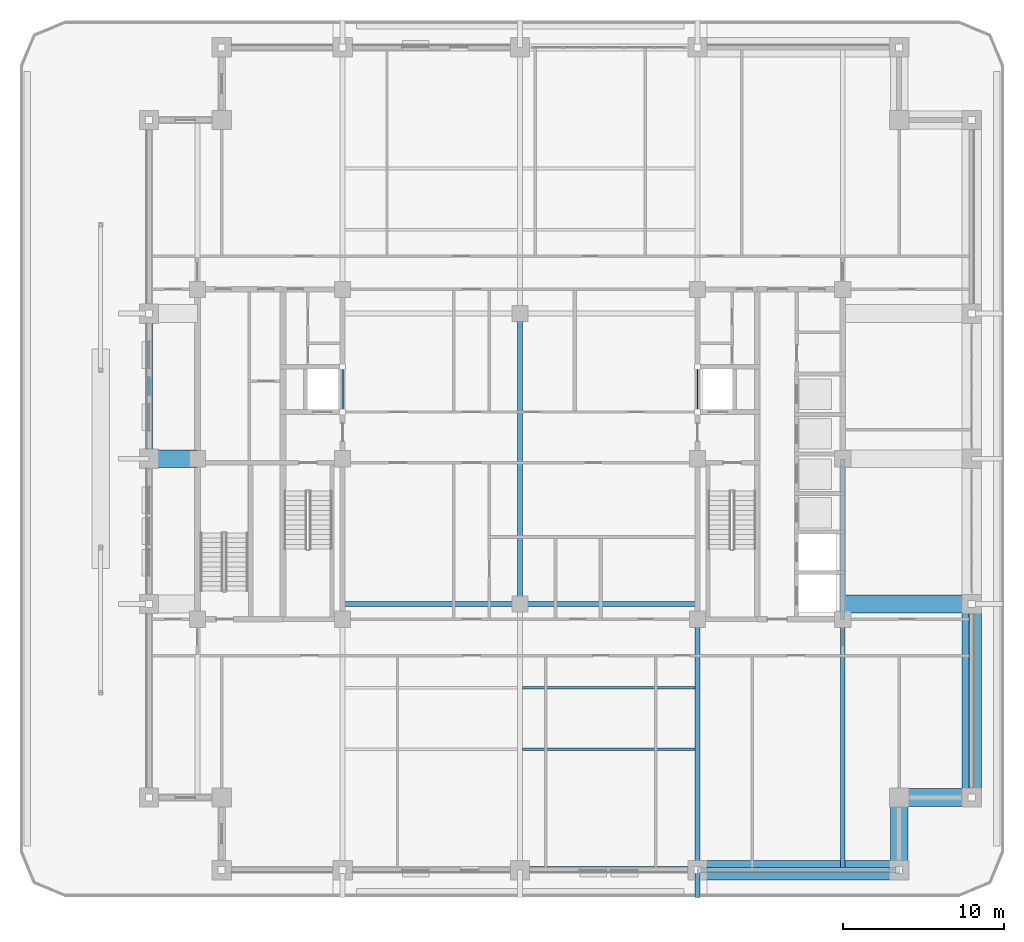
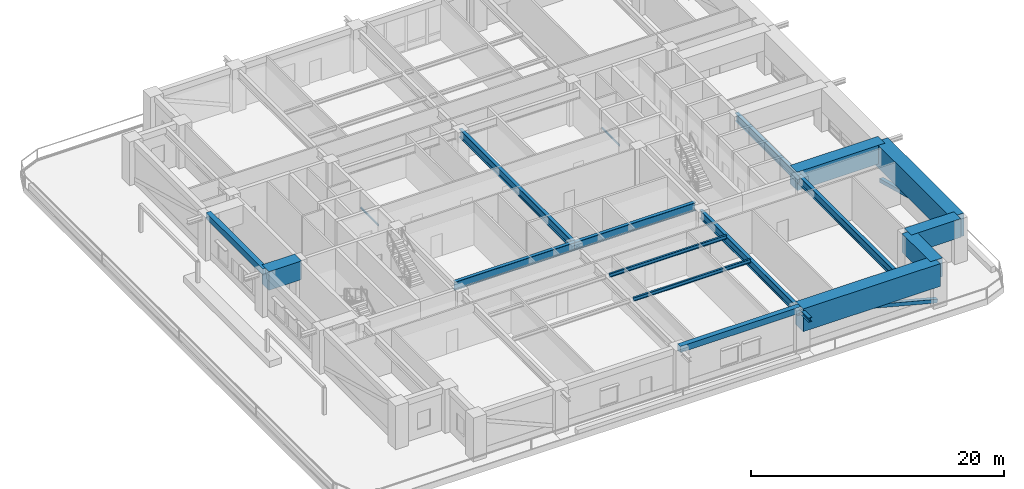
# One storey, part 3 of 21: 19 beams, 2 members.
"""IFC4 building model written with IfcOpenShell, lengths in metres."""

from ifc_helpers import new_model, si_unit, direction, frame, origin, origin_2d, place, context, subcontext, project, spatial, rectangle, hollow_rectangle, i_section, extrude, material, material_profile, profile_set, type_object, element, save


model = new_model("IFC4")

# Units and contexts
model_context = context("Model", 3, precision=1e-05, world=origin(), true_north=direction((0.0, 1.0)))
body_context = subcontext(model_context, "Body", "Model", "MODEL_VIEW")
ifc_project = project(units=[si_unit("LENGTHUNIT", "METRE"), si_unit("AREAUNIT", "SQUARE_METRE"), si_unit("VOLUMEUNIT", "CUBIC_METRE"), si_unit("PLANEANGLEUNIT", "RADIAN"), si_unit("MASSUNIT", "GRAM", prefix="KILO")], contexts=[model_context])

# Site, building, storey
site_placement = place(None, origin())
site = spatial("IfcSite", under=ifc_project, at=site_placement, CompositionType="ELEMENT")
building_placement = place(site_placement, origin())
building = spatial("IfcBuilding", under=site, at=building_placement, Name="Zulmaris Gate Convention Tower", CompositionType="ELEMENT")
storey_placement = place(building_placement, frame((0.0, 0.0, 86.93994140625)))
storey = spatial("IfcBuildingStorey", under=building, at=storey_placement, Name="L21", CompositionType="ELEMENT", Elevation=86.93994140625)

# Beams
ifc_material_1 = material(Name="Steel S355", Category="steel")
ifc_material_profile_1 = material_profile(ifc_material_1, i_section(OverallWidth=0.300048828125, OverallDepth=0.39990234375, WebThickness=0.013427734375, FlangeThickness=0.02392578125, FilletRadius=0.027099609375, at=origin_2d()), Name="HEB 400")
ifc_profile_set_1 = profile_set([ifc_material_profile_1], Name="Steel S355")
beam_type_1 = type_object("IfcBeamType", Name="BM-HEB400", PredefinedType="BEAM", material=ifc_profile_set_1)
beam_1_placement = place(storey_placement, frame((11.0, -27.199951171875, 3.79296875), z_axis=(0.0, 1.0, 0.0), x_axis=(-1.0, 0.0, 0.0)))
element("IfcBeam", 1, at=beam_1_placement, inside=storey, type_object=beam_type_1, Name="L21 Beam TBRK-L21-S-+11", PredefinedType="BEAM", context=body_context, shape_type="SweptSolid", body=[
    extrude(i_section(OverallWidth=0.300048828125, OverallDepth=0.39990234375, WebThickness=0.013427734375, FlangeThickness=0.02392578125, FilletRadius=0.027099609375, at=origin_2d()), origin(), (0.0, 0.0, 1.0), 1.699951171875),
])
ifc_material_profile_2 = material_profile(ifc_material_1, i_section(OverallWidth=0.300048828125, OverallDepth=0.800048828125, WebThickness=0.017578125, FlangeThickness=0.032958984375, FilletRadius=0.030029296875, at=origin_2d()), Name="HEB 800")
ifc_profile_set_2 = profile_set([ifc_material_profile_2], Name="Steel S355")
beam_type_2 = type_object("IfcBeamType", Name="BM-HEB800", PredefinedType="BEAM", material=ifc_profile_set_2)
for number, where, z_axis, x_axis, name in (
    (2, (-11.0, -9.0, 3.76806640625), (1.0, 0.0, 0.0), (0.0, 1.0, 0.0), "L21 Beam BM-L21-G01"),
    (3, (0.0, -9.0, 3.76806640625), (1.0, 0.0, 0.0), (0.0, 1.0, 0.0), "L21 Beam BM-L21-G02"),
):
    element("IfcBeam", number, at=place(storey_placement, frame(where, z_axis=z_axis, x_axis=x_axis)), inside=storey, type_object=beam_type_2, Name=name, PredefinedType="BEAM", context=body_context, shape_type="SweptSolid", body=[
        extrude(i_section(OverallWidth=0.300048828125, OverallDepth=0.800048828125, WebThickness=0.017578125, FlangeThickness=0.032958984375, FilletRadius=0.030029296875, at=origin_2d()), origin(), (0.0, 0.0, 1.0), 11.0),
    ])
beam_2_placement = place(storey_placement, frame((0.0, -9.0, 3.76806640625), z_axis=(0.0, 1.0, 0.0), x_axis=(-1.0, 0.0, 0.0)))
element("IfcBeam", 4, at=beam_2_placement, inside=storey, type_object=beam_type_2, Name="L21 Beam BM-L21-G06", PredefinedType="BEAM", context=body_context, shape_type="SweptSolid", body=[
    extrude(i_section(OverallWidth=0.300048828125, OverallDepth=0.800048828125, WebThickness=0.017578125, FlangeThickness=0.032958984375, FilletRadius=0.030029296875, at=origin_2d()), origin(), (0.0, 0.0, 1.0), 18.0),
])
for number, where, z_axis, x_axis, name in (
    (5, (11.0, -25.5, 3.593017578125), (0.0, 1.0, 0.0), (-1.0, 0.0, 0.0), "L21 Beam BM-L21-G10"),
    (6, (20.0, -25.5, 3.76806640625), (0.0, 1.0, 0.0), (-1.0, 0.0, 0.0), "L21 Beam BM-L21-G14"),
):
    element("IfcBeam", number, at=place(storey_placement, frame(where, z_axis=z_axis, x_axis=x_axis)), inside=storey, type_object=beam_type_2, Name=name, PredefinedType="BEAM", context=body_context, shape_type="SweptSolid", body=[
        extrude(i_section(OverallWidth=0.300048828125, OverallDepth=0.800048828125, WebThickness=0.017578125, FlangeThickness=0.032958984375, FilletRadius=0.030029296875, at=origin_2d()), origin(), (0.0, 0.0, 1.0), 15.550048828125),
    ])
beam_3_placement = place(storey_placement, frame((20.0, -9.949951171875, 3.76806640625), z_axis=(0.0, 1.0, 0.0), x_axis=(-1.0, 0.0, 0.0)))
element("IfcBeam", 7, at=beam_3_placement, inside=storey, type_object=beam_type_2, Name="L21 Beam BM-L21-G28", PredefinedType="BEAM", context=body_context, shape_type="SweptSolid", body=[
    extrude(i_section(OverallWidth=0.300048828125, OverallDepth=0.800048828125, WebThickness=0.017578125, FlangeThickness=0.032958984375, FilletRadius=0.030029296875, at=origin_2d()), origin(), (0.0, 0.0, 1.0), 9.949951171875),
])
ifc_material_2 = material(Name="Precast concrete C50/60", Category="concrete")
ifc_material_profile_3 = material_profile(ifc_material_2, rectangle(XDim=0.449951171875, YDim=0.60009765625, at=origin_2d()), Name="RC SPANDREL 450x600")
ifc_profile_set_3 = profile_set([ifc_material_profile_3], Name="Precast concrete C50/60")
beam_type_3 = type_object("IfcBeamType", Name="BM-SP450x600", PredefinedType="SPANDREL", material=ifc_profile_set_3)
beam_4_placement = place(storey_placement, frame((0.0, -25.5, 3.869873046875), z_axis=(1.0, 0.0, 0.0), x_axis=(0.0, 1.0, 0.0)))
element("IfcBeam", 8, at=beam_4_placement, inside=storey, type_object=beam_type_3, Name="L21 Spandrel SP-L21-03", PredefinedType="SPANDREL", context=body_context, shape_type="SweptSolid", body=[
    extrude(rectangle(XDim=0.449951171875, YDim=0.60009765625, at=origin_2d()), origin(), (0.0, 0.0, 1.0), 11.0),
])
beam_5_placement = place(storey_placement, frame((-23.0, 9.0, 3.869873046875), z_axis=(0.0, -1.0, 0.0), x_axis=(1.0, 0.0, 0.0)))
element("IfcBeam", 9, at=beam_5_placement, inside=storey, type_object=beam_type_3, Name="L21 Spandrel SP-L21-20", PredefinedType="SPANDREL", context=body_context, shape_type="SweptSolid", body=[
    extrude(rectangle(XDim=0.449951171875, YDim=0.60009765625, at=origin_2d()), origin(), (0.0, 0.0, 1.0), 9.0),
])
ifc_material_3 = material(Name="Concrete C80/95", Category="concrete")
ifc_material_profile_4 = material_profile(ifc_material_3, rectangle(XDim=1.10009765625, YDim=1.800048828125, at=origin_2d()), Name="RC TRANSFER 1100x1800")
ifc_profile_set_4 = profile_set([ifc_material_profile_4], Name="Concrete C80/95")
beam_type_4 = type_object("IfcBeamType", Name="BM-XFER1800", PredefinedType="BEAM", material=ifc_profile_set_4)
for number, where, z_axis, x_axis, name in (
    (10, (23.5, -25.5, 3.27001953125), (0.0, 1.0, 0.0), (-1.0, 0.0, 0.0), "L21 Beam SP-L21-05"),
    (11, (23.5, -21.0, 3.27001953125), (1.0, 0.0, 0.0), (0.0, 1.0, 0.0), "L21 Beam SP-L21-06"),
):
    element("IfcBeam", number, at=place(storey_placement, frame(where, z_axis=z_axis, x_axis=x_axis)), inside=storey, type_object=beam_type_4, Name=name, PredefinedType="BEAM", context=body_context, shape_type="SweptSolid", body=[
        extrude(rectangle(XDim=1.10009765625, YDim=1.800048828125, at=origin_2d()), origin(), (0.0, 0.0, 1.0), 4.5),
    ])
beam_6_placement = place(storey_placement, frame((-23.0, 0.0, 3.27001953125), z_axis=(1.0, 0.0, 0.0), x_axis=(0.0, 1.0, 0.0)))
element("IfcBeam", 12, at=beam_6_placement, inside=storey, type_object=beam_type_4, Name="L21 Beam BM-L21-G17", PredefinedType="BEAM", context=body_context, shape_type="SweptSolid", body=[
    extrude(rectangle(XDim=1.10009765625, YDim=1.800048828125, at=origin_2d()), origin(), (0.0, 0.0, 1.0), 3.0),
])
beam_7_placement = place(storey_placement, frame((20.0, -9.0, 3.27001953125), z_axis=(1.0, 0.0, 0.0), x_axis=(0.0, 1.0, 0.0)))
element("IfcBeam", 13, at=beam_7_placement, inside=storey, type_object=beam_type_4, Name="L21 Beam BM-L21-G19", PredefinedType="BEAM", context=body_context, shape_type="SweptSolid", body=[
    extrude(rectangle(XDim=1.10009765625, YDim=1.800048828125, at=origin_2d()), origin(), (0.0, 0.0, 1.0), 8.0),
])
ifc_material_profile_5 = material_profile(ifc_material_3, rectangle(XDim=1.199951171875, YDim=2.199951171875, at=origin_2d()), Name="RC TRANSFER 1200x2200")
ifc_profile_set_5 = profile_set([ifc_material_profile_5], Name="Concrete C80/95")
beam_type_5 = type_object("IfcBeamType", Name="BM-XFER2200", PredefinedType="BEAM", material=ifc_profile_set_5)
beam_8_placement = place(storey_placement, frame((11.0, -25.5, 3.070068359375), z_axis=(1.0, 0.0, 0.0), x_axis=(0.0, 1.0, 0.0)))
element("IfcBeam", 14, at=beam_8_placement, inside=storey, type_object=beam_type_5, Name="L21 Beam SP-L21-04", PredefinedType="BEAM", context=body_context, shape_type="SweptSolid", body=[
    extrude(rectangle(XDim=1.199951171875, YDim=2.199951171875, at=origin_2d()), origin(), (0.0, 0.0, 1.0), 12.5),
])
beam_9_placement = place(storey_placement, frame((28.0, -21.0, 3.070068359375), z_axis=(0.0, 1.0, 0.0), x_axis=(-1.0, 0.0, 0.0)))
element("IfcBeam", 15, at=beam_9_placement, inside=storey, type_object=beam_type_5, Name="L21 Beam SP-L21-07", PredefinedType="BEAM", context=body_context, shape_type="SweptSolid", body=[
    extrude(rectangle(XDim=1.199951171875, YDim=2.199951171875, at=origin_2d()), origin(), (0.0, 0.0, 1.0), 12.0),
])

# Members
ifc_material_4 = material(Name="Steel S460", Category="steel")
ifc_material_profile_6 = material_profile(ifc_material_4, hollow_rectangle(XDim=0.35009765625, YDim=0.35009765625, WallThickness=0.01611328125, at=origin_2d()), Name="SHS 350x350x16")
ifc_profile_set_6 = profile_set([ifc_material_profile_6], Name="Steel S460")
member_type = type_object("IfcMemberType", Name="BR-SHS350", PredefinedType="BRACE", material=ifc_profile_set_6)
member_1_placement = place(storey_placement, frame((28.0, -9.0, 0.300048828125), z_axis=(0.0, -0.96522637192, 0.261415475728), x_axis=(1.0, 0.0, 0.0)))
element("IfcMember", 16, at=member_1_placement, inside=storey, type_object=member_type, Name="L21 Perimeter Tube Diagonal SE-E", PredefinedType="BRACE", context=body_context, shape_type="SweptSolid", body=[
    extrude(hollow_rectangle(XDim=0.35009765625, YDim=0.35009765625, WallThickness=0.01611328125, at=origin_2d()), origin(), (0.0, 0.0, 1.0), 12.432373046875),
])
member_2_placement = place(storey_placement, frame((23.5, -25.5, 0.300048828125), z_axis=(-0.967822506788, 0.0, 0.251633851765), x_axis=(0.0, -1.0, 0.0)))
element("IfcMember", 17, at=member_2_placement, inside=storey, type_object=member_type, Name="L21 Perimeter Tube Diagonal SE-S", PredefinedType="BRACE", context=body_context, shape_type="SweptSolid", body=[
    extrude(hollow_rectangle(XDim=0.35009765625, YDim=0.35009765625, WallThickness=0.01611328125, at=origin_2d()), origin(), (0.0, 0.0, 1.0), 12.91552734375),
])

# Beams
ifc_material_profile_7 = material_profile(ifc_material_1, i_section(OverallWidth=0.169921875, OverallDepth=0.360107421875, WebThickness=0.008056640625, FlangeThickness=0.0126953125, FilletRadius=0.01806640625, at=origin_2d()), Name="IPE 360")
ifc_profile_set_7 = profile_set([ifc_material_profile_7], Name="Steel S355")
beam_type_6 = type_object("IfcBeamType", Name="JT-IPE360", PredefinedType="JOIST", material=ifc_profile_set_7)
for number, where, z_axis, x_axis, name in (
    (18, (0.14990234375, -18.0, 3.988037109375), (1.0, 0.0, 0.0), (0.0, 1.0, 0.0), "L21 Joist JT-L21-CE--18.0"),
    (19, (0.14990234375, -14.199951171875, 3.988037109375), (1.0, 0.0, 0.0), (0.0, 1.0, 0.0), "L21 Joist JT-L21-CE--14.2"),
):
    element("IfcBeam", number, at=place(storey_placement, frame(where, z_axis=z_axis, x_axis=x_axis)), inside=storey, type_object=beam_type_6, Name=name, PredefinedType="JOIST", context=body_context, shape_type="SweptSolid", body=[
        extrude(i_section(OverallWidth=0.169921875, OverallDepth=0.360107421875, WebThickness=0.008056640625, FlangeThickness=0.0126953125, FilletRadius=0.01806640625, at=origin_2d()), origin(), (0.0, 0.0, 1.0), 10.7001953125),
    ])
ifc_material_profile_8 = material_profile(ifc_material_1, hollow_rectangle(XDim=0.080078125, YDim=0.179931640625, WallThickness=0.00634765625, at=origin_2d()), Name="RHS 180x80x6.3")
ifc_profile_set_8 = profile_set([ifc_material_profile_8], Name="Steel S355")
beam_type_7 = type_object("IfcBeamType", Name="LN-RHS180", PredefinedType="LINTEL", material=ifc_profile_set_8)
for number, where, z_axis, x_axis, name in (
    (20, (-11.0, 2.89990234375, 2.349853515625), (0.0, 1.0, 0.0), (-1.0, 0.0, 0.0), "L21 Core Opening Steel Lintel 1"),
    (21, (11.0, 2.89990234375, 2.349853515625), (0.0, 1.0, 0.0), (-1.0, 0.0, 0.0), "L21 Core Opening Steel Lintel 2"),
):
    element("IfcBeam", number, at=place(storey_placement, frame(where, z_axis=z_axis, x_axis=x_axis)), inside=storey, type_object=beam_type_7, Name=name, PredefinedType="LINTEL", context=body_context, shape_type="SweptSolid", body=[
        extrude(hollow_rectangle(XDim=0.080078125, YDim=0.179931640625, WallThickness=0.00634765625, at=origin_2d()), origin(), (0.0, 0.0, 1.0), 2.800048828125),
    ])

save(model, "model.ifc")
